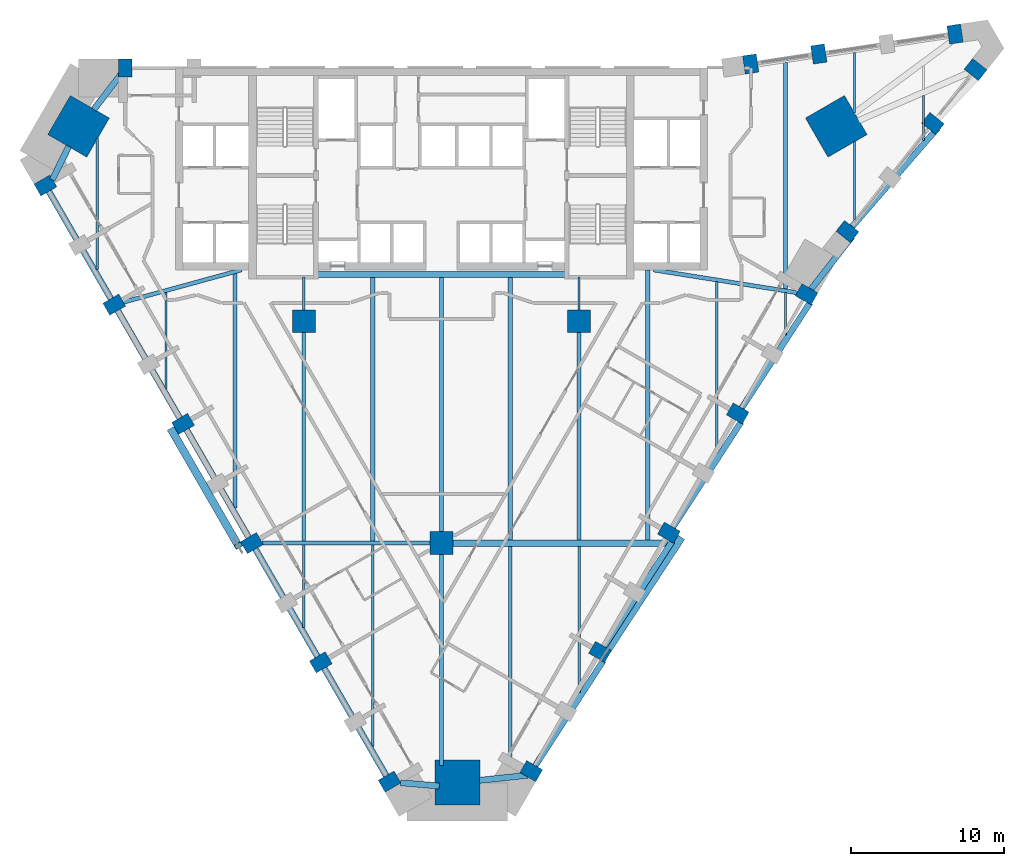
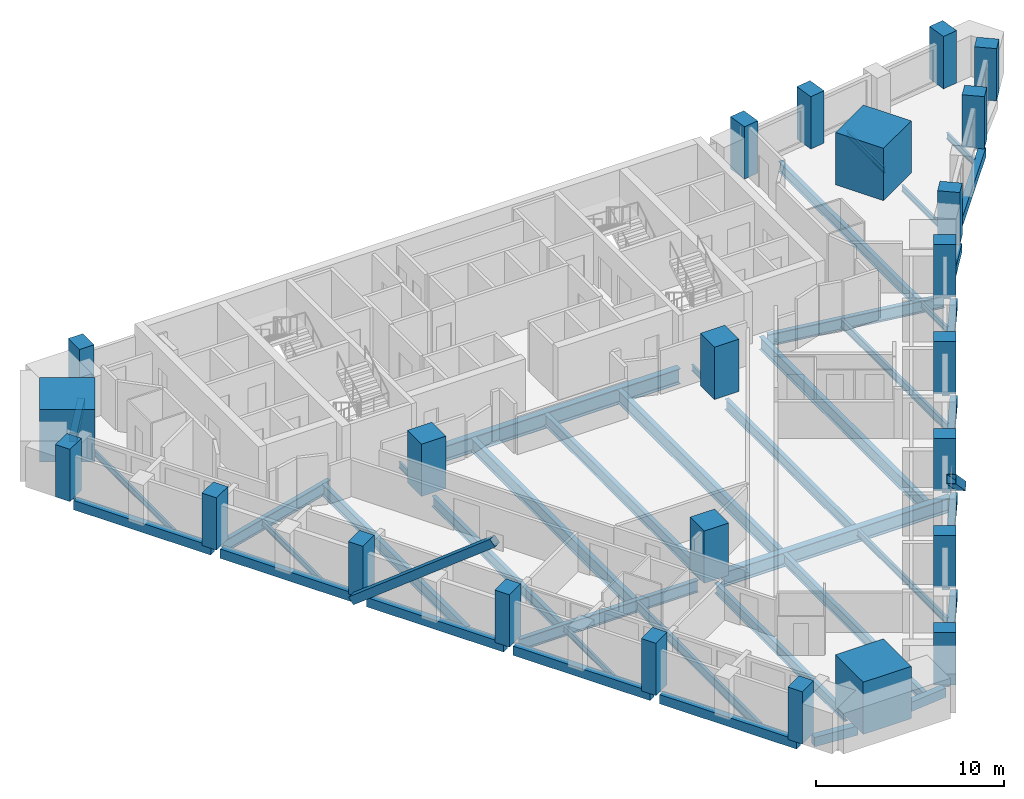
# One storey, part 1 of 10: 42 beams, 24 columns, 2 members.
"""IFC4 building model written with IfcOpenShell, lengths in metres."""

from ifc_helpers import new_model, si_unit, direction, frame, origin, origin_2d, place, context, subcontext, project, spatial, rectangle, hollow_rectangle, i_section, extrude, material, material_profile, profile_set, type_object, element, save


model = new_model("IFC4")

# Units and contexts
model_context = context("Model", 3, precision=1e-05, world=origin(), true_north=direction((0.0, 1.0)))
body_context = subcontext(model_context, "Body", "Model", "MODEL_VIEW")
ifc_project = project(units=[si_unit("LENGTHUNIT", "METRE"), si_unit("AREAUNIT", "SQUARE_METRE"), si_unit("VOLUMEUNIT", "CUBIC_METRE"), si_unit("PLANEANGLEUNIT", "RADIAN"), si_unit("MASSUNIT", "GRAM", prefix="KILO")], contexts=[model_context])

# Site, building, storey
site_placement = place(None, origin())
site = spatial("IfcSite", under=ifc_project, at=site_placement, CompositionType="ELEMENT")
building_placement = place(site_placement, origin())
building = spatial("IfcBuilding", under=site, at=building_placement, Name="Calabash Gate Tower", CompositionType="ELEMENT")
storey_placement = place(building_placement, frame((0.0, 0.0, 105.39990234375)))
storey = spatial("IfcBuildingStorey", under=building, at=storey_placement, Name="L23", CompositionType="ELEMENT", Elevation=105.39990234375)

# Columns
ifc_material_1 = material(Name="Concrete C80/95", Category="concrete")
ifc_material_profile_1 = material_profile(ifc_material_1, rectangle(XDim=1.5, YDim=1.5, at=origin_2d()))
ifc_profile_set_1 = profile_set([ifc_material_profile_1], Name="Concrete C80/95")
column_type_1 = type_object("IfcColumnType", Name="Interior column RC 1500x1500 Concrete C80/95", PredefinedType="COLUMN", material=ifc_profile_set_1)
for number, where, z_axis, x_axis, name in (
    (1, (-9.0, 2.5, 0.0), (0.0, 0.0, 1.0), (1.0, 0.0, 0.0), "Interior column L23 I0"),
    (2, (9.0, 2.5, 0.0), (0.0, 0.0, 1.0), (1.0, 0.0, 0.0), "Interior column L23 I1"),
    (3, (0.0, -12.0, 0.0), (0.0, 0.0, 1.0), (1.0, 0.0, 0.0), "Interior column L23 I2"),
):
    element("IfcColumn", number, at=place(storey_placement, frame(where, z_axis=z_axis, x_axis=x_axis)), inside=storey, type_object=column_type_1, Name=name, PredefinedType="COLUMN", context=body_context, shape_type="SweptSolid", body=[
        extrude(rectangle(XDim=1.5, YDim=1.5, at=origin_2d()), origin(), (0.0, 0.0, 1.0), 3.400146484375),
    ])
ifc_material_2 = material(Name="Concrete C80/95", Category="concrete")
ifc_material_profile_2 = material_profile(ifc_material_2, rectangle(XDim=2.949951171875, YDim=2.949951171875, at=origin_2d()))
ifc_profile_set_2 = profile_set([ifc_material_profile_2], Name="Concrete C80/95")
column_type_2 = type_object("IfcColumnType", Name="Mega column RC 2950x2950 Concrete C80/95", PredefinedType="COLUMN", material=ifc_profile_set_2)
for number, where, z_axis, x_axis, name in (
    (4, (-23.72412109375, 15.243896484375, 0.0), (0.0, 0.0, 1.0), (0.866025403784, -0.5, 0.0), "Mega column L23 NW"),
    (5, (25.806884765625, 15.243896484375, 0.0), (0.0, 0.0, 1.0), (-0.866025403784, -0.5, 0.0), "Mega column L23 NE"),
    (6, (1.041015625, -27.65087890625, 0.0), (0.0, 0.0, 1.0), (0.0, 1.0, 0.0), "Mega column L23 S"),
):
    element("IfcColumn", number, at=place(storey_placement, frame(where, z_axis=z_axis, x_axis=x_axis)), inside=storey, type_object=column_type_2, Name=name, PredefinedType="COLUMN", context=body_context, shape_type="SweptSolid", body=[
        extrude(rectangle(XDim=2.949951171875, YDim=2.949951171875, at=origin_2d()), origin(), (0.0, 0.0, 1.0), 3.400146484375),
    ])
ifc_material_3 = material(Name="Concrete C70/85", Category="concrete")
ifc_material_profile_3 = material_profile(ifc_material_3, rectangle(XDim=0.89990234375, YDim=1.199951171875, at=origin_2d()))
ifc_profile_set_3 = profile_set([ifc_material_profile_3], Name="Concrete C70/85")
column_type_3 = type_object("IfcColumnType", Name="Perimeter column RC 900x1200 Concrete C70/85", PredefinedType="COLUMN", material=ifc_profile_set_3)
for number, where, z_axis, x_axis, name in (
    (7, (-25.889892578125, 11.3779296875, 0.0), (0.0, 0.0, 1.0), (0.5, -0.866025403784, 0.0), "Perimeter column L23 P20"),
    (8, (-21.389892578125, 3.5830078125, 0.0), (0.0, 0.0, 1.0), (0.5, -0.866025403784, 0.0), "Perimeter column L23 P00"),
    (9, (-16.889892578125, -4.2109375, 0.0), (0.0, 0.0, 1.0), (0.5, -0.866025403784, 0.0), "Perimeter column L23 P01"),
    (10, (-12.389892578125, -12.0029296875, 0.0), (0.0, 0.0, 1.0), (0.5, -0.866025403784, 0.0), "Perimeter column L23 P02"),
    (11, (-7.889892578125, -19.799072265625, 0.0), (0.0, 0.0, 1.0), (0.5, -0.866025403784, 0.0), "Perimeter column L23 P03"),
    (12, (-3.389892578125, -27.593017578125, 0.0), (0.0, 0.0, 1.0), (0.5, -0.866025403784, 0.0), "Perimeter column L23 P05"),
    (13, (5.866943359375, -26.908935546875, 0.0), (0.0, 0.0, 1.0), (0.5, 0.866025403784, 0.0), "Perimeter column L23 P08"),
    (14, (10.366943359375, -19.113037109375, 0.0), (0.0, 0.0, 1.0), (0.5, 0.866025403784, 0.0), "Perimeter column L23 P09"),
    (15, (14.866943359375, -11.321044921875, 0.0), (0.0, 0.0, 1.0), (0.5, 0.866025403784, 0.0), "Perimeter column L23 P10"),
    (16, (19.366943359375, -3.527099609375, 0.0), (0.0, 0.0, 1.0), (0.5, 0.866025403784, 0.0), "Perimeter column L23 P11"),
    (17, (23.866943359375, 4.26708984375, 0.0), (0.0, 0.0, 1.0), (0.5, 0.866025403784, 0.0), "Perimeter column L23 P12"),
    (18, (26.5400390625, 8.366943359375, 0.0), (0.0, 0.0, 1.0), (0.620301172202, 0.784363726701, 0.0), "Perimeter column L23 P13"),
    (19, (32.1220703125, 15.424072265625, 0.0), (0.0, 0.0, 1.0), (0.620301172202, 0.784363726701, 0.0), "Perimeter column L23 P21"),
    (20, (34.9140625, 18.9541015625, 0.0), (0.0, 0.0, 1.0), (0.620301172202, 0.784363726701, 0.0), "Perimeter column L23 P22"),
    (21, (33.572998046875, 21.27587890625, 0.0), (0.0, 0.0, 1.0), (-0.989429504293, -0.145014675236, 0.0), "Perimeter column L23 P23"),
    (22, (24.66796875, 19.970947265625, 0.0), (0.0, 0.0, 1.0), (-0.989429504293, -0.145014675236, 0.0), "Perimeter column L23 P16"),
    (23, (20.216064453125, 19.318115234375, 0.0), (0.0, 0.0, 1.0), (-0.989429504293, -0.145014675236, 0.0), "Perimeter column L23 P24"),
    (24, (-20.6689453125, 19.052978515625, 0.0), (0.0, 0.0, 1.0), (-1.0, 0.0, 0.0), "Perimeter column L23 P17"),
):
    element("IfcColumn", number, at=place(storey_placement, frame(where, z_axis=z_axis, x_axis=x_axis)), inside=storey, type_object=column_type_3, Name=name, PredefinedType="COLUMN", context=body_context, shape_type="SweptSolid", body=[
        extrude(rectangle(XDim=0.89990234375, YDim=1.199951171875, at=origin_2d()), origin(), (0.0, 0.0, 1.0), 3.400146484375),
    ])

# Beams
ifc_material_4 = material(Name="Concrete C60/75", Category="concrete")
ifc_material_profile_4 = material_profile(ifc_material_4, rectangle(XDim=0.39990234375, YDim=0.60009765625, at=origin_2d()))
ifc_profile_set_4 = profile_set([ifc_material_profile_4], Name="Concrete C60/75")
beam_type_1 = type_object("IfcBeamType", Name="Edge beam RC 400x600 Concrete C60/75", PredefinedType="BEAM", material=ifc_profile_set_4)
beam_1_placement = place(storey_placement, frame((-16.672119140625, -4.589111328125, -0.469970703125), z_axis=(0.500175705322, -0.865923936501, 0.0), x_axis=(0.865923936501, 0.500175705322, 0.0)))
element("IfcBeam", 25, at=beam_1_placement, inside=storey, type_object=beam_type_1, Name="Edge beam L23 1", PredefinedType="BEAM", context=body_context, shape_type="SweptSolid", body=[
    extrude(rectangle(XDim=0.39990234375, YDim=0.60009765625, at=origin_2d()), origin(), (0.0, 0.0, 1.0), 8.42333984375),
])
beam_2_placement = place(storey_placement, frame((-12.172119140625, -12.383056640625, -0.469970703125), z_axis=(0.500025102917, -0.866010910123, 0.0), x_axis=(0.866010910123, 0.500025102917, 0.0)))
element("IfcBeam", 26, at=beam_2_placement, inside=storey, type_object=beam_type_1, Name="Edge beam L23 2", PredefinedType="BEAM", context=body_context, shape_type="SweptSolid", body=[
    extrude(rectangle(XDim=0.39990234375, YDim=0.60009765625, at=origin_2d()), origin(), (0.0, 0.0, 1.0), 8.42578125),
])
beam_3_placement = place(storey_placement, frame((-7.672119140625, -20.177001953125, -0.469970703125), z_axis=(0.500012556128, -0.866018154379, 0.0), x_axis=(0.866018154379, 0.500012556128, 0.0)))
element("IfcBeam", 27, at=beam_3_placement, inside=storey, type_object=beam_type_1, Name="Edge beam L23 3", PredefinedType="BEAM", context=body_context, shape_type="SweptSolid", body=[
    extrude(rectangle(XDim=0.39990234375, YDim=0.60009765625, at=origin_2d()), origin(), (0.0, 0.0, 1.0), 8.426025390625),
])
beam_4_placement = place(storey_placement, frame((-2.673095703125, -27.6669921875, -0.469970703125), z_axis=(0.996373247491, -0.085090256106, 0.0), x_axis=(0.085090256106, 0.996373247491, 0.0)))
element("IfcBeam", 28, at=beam_4_placement, inside=storey, type_object=beam_type_1, Name="Edge beam L23 4", PredefinedType="BEAM", context=body_context, shape_type="SweptSolid", body=[
    extrude(rectangle(XDim=0.39990234375, YDim=0.60009765625, at=origin_2d()), origin(), (0.0, 0.0, 1.0), 2.539306640625),
])
beam_5_placement = place(storey_placement, frame((2.489990234375, -27.512939453125, -0.469970703125), z_axis=(0.99429686812, 0.106647728743, 0.0), x_axis=(-0.106647728743, 0.99429686812, 0.0)))
element("IfcBeam", 29, at=beam_5_placement, inside=storey, type_object=beam_type_1, Name="Edge beam L23 5", PredefinedType="BEAM", context=body_context, shape_type="SweptSolid", body=[
    extrude(rectangle(XDim=0.39990234375, YDim=0.60009765625, at=origin_2d()), origin(), (0.0, 0.0, 1.0), 3.1591796875),
])
beam_6_placement = place(storey_placement, frame((6.1259765625, -26.55810546875, -0.469970703125), z_axis=(0.543664298649, 0.839302764427, 0.0), x_axis=(-0.839302764427, 0.543664298649, 0.0)))
element("IfcBeam", 30, at=beam_6_placement, inside=storey, type_object=beam_type_1, Name="Edge beam L23 6", PredefinedType="BEAM", context=body_context, shape_type="SweptSolid", body=[
    extrude(rectangle(XDim=0.39990234375, YDim=0.60009765625, at=origin_2d()), origin(), (0.0, 0.0, 1.0), 8.20947265625),
])
beam_7_placement = place(storey_placement, frame((10.6259765625, -18.763916015625, -0.469970703125), z_axis=(0.543677868932, 0.839293974024, 0.0), x_axis=(-0.839293974024, 0.543677868932, 0.0)))
element("IfcBeam", 31, at=beam_7_placement, inside=storey, type_object=beam_type_1, Name="Edge beam L23 7", PredefinedType="BEAM", context=body_context, shape_type="SweptSolid", body=[
    extrude(rectangle(XDim=0.39990234375, YDim=0.60009765625, at=origin_2d()), origin(), (0.0, 0.0, 1.0), 8.209228515625),
])
beam_8_placement = place(storey_placement, frame((15.1259765625, -10.968994140625, -0.469970703125), z_axis=(0.543732155417, 0.839258805831, 0.0), x_axis=(-0.839258805831, 0.543732155417, 0.0)))
element("IfcBeam", 32, at=beam_8_placement, inside=storey, type_object=beam_type_1, Name="Edge beam L23 8", PredefinedType="BEAM", context=body_context, shape_type="SweptSolid", body=[
    extrude(rectangle(XDim=0.39990234375, YDim=0.60009765625, at=origin_2d()), origin(), (0.0, 0.0, 1.0), 8.208251953125),
])
beam_9_placement = place(storey_placement, frame((19.6259765625, -3.173095703125, -0.469970703125), z_axis=(0.543827177379, 0.839197236139, 0.0), x_axis=(-0.839197236139, 0.543827177379, 0.0)))
element("IfcBeam", 33, at=beam_9_placement, inside=storey, type_object=beam_type_1, Name="Edge beam L23 9", PredefinedType="BEAM", context=body_context, shape_type="SweptSolid", body=[
    extrude(rectangle(XDim=0.39990234375, YDim=0.60009765625, at=origin_2d()), origin(), (0.0, 0.0, 1.0), 8.206787109375),
])
beam_10_placement = place(storey_placement, frame((24.159912109375, 4.60009765625, -0.469970703125), z_axis=(0.616370009033, 0.787456673072, 0.0), x_axis=(-0.787456673072, 0.616370009033, 0.0)))
element("IfcBeam", 34, at=beam_10_placement, inside=storey, type_object=beam_type_1, Name="Edge beam L23 10", PredefinedType="BEAM", context=body_context, shape_type="SweptSolid", body=[
    extrude(rectangle(XDim=0.39990234375, YDim=0.60009765625, at=origin_2d()), origin(), (0.0, 0.0, 1.0), 4.370849609375),
])
beam_11_placement = place(storey_placement, frame((26.83203125, 8.66796875, -0.469970703125), z_axis=(0.655025203749, 0.755607029119, 0.0), x_axis=(-0.755607029119, 0.655025203749, 0.0)))
element("IfcBeam", 35, at=beam_11_placement, inside=storey, type_object=beam_type_1, Name="Edge beam L23 11", PredefinedType="BEAM", context=body_context, shape_type="SweptSolid", body=[
    extrude(rectangle(XDim=0.39990234375, YDim=0.60009765625, at=origin_2d()), origin(), (0.0, 0.0, 1.0), 8.54150390625),
])
beam_12_placement = place(storey_placement, frame((-20.738037109375, 18.93896484375, -0.469970703125), z_axis=(-0.607056715402, -0.794658507968, 0.0), x_axis=(0.794658507968, -0.607056715402, 0.0)))
element("IfcBeam", 36, at=beam_12_placement, inside=storey, type_object=beam_type_1, Name="Edge beam L23 17", PredefinedType="BEAM", context=body_context, shape_type="SweptSolid", body=[
    extrude(rectangle(XDim=0.39990234375, YDim=0.60009765625, at=origin_2d()), origin(), (0.0, 0.0, 1.0), 3.271728515625),
])
beam_13_placement = place(storey_placement, frame((-24.365966796875, 13.930908203125, -0.469970703125), z_axis=(-0.442832113962, -0.896604549868, 0.0), x_axis=(0.896604549868, -0.442832113962, 0.0)))
element("IfcBeam", 37, at=beam_13_placement, inside=storey, type_object=beam_type_1, Name="Edge beam L23 18", PredefinedType="BEAM", context=body_context, shape_type="SweptSolid", body=[
    extrude(rectangle(XDim=0.39990234375, YDim=0.60009765625, at=origin_2d()), origin(), (0.0, 0.0, 1.0), 2.432373046875),
])
for number, where, z_axis, x_axis, name in (
    (38, (-25.672119140625, 11.0, -0.469970703125), (0.500012556128, -0.866018154379, 0.0), (0.866018154379, 0.500012556128, 0.0), "Edge beam L23 19"),
    (39, (-21.172119140625, 3.2060546875, -0.469970703125), (0.500012556128, -0.866018154379, 0.0), (0.866018154379, 0.500012556128, 0.0), "Edge beam L23 20"),
):
    element("IfcBeam", number, at=place(storey_placement, frame(where, z_axis=z_axis, x_axis=x_axis)), inside=storey, type_object=beam_type_1, Name=name, PredefinedType="BEAM", context=body_context, shape_type="SweptSolid", body=[
        extrude(rectangle(XDim=0.39990234375, YDim=0.60009765625, at=origin_2d()), origin(), (0.0, 0.0, 1.0), 8.426025390625),
    ])
ifc_material_5 = material(Name="Steel ASTM A992 Gr50", Category="steel")
ifc_material_profile_5 = material_profile(ifc_material_5, i_section(OverallWidth=0.1396484375, OverallDepth=0.398681640625, WebThickness=0.00634765625, FlangeThickness=0.0087890625, FilletRadius=0.01025390625, at=origin_2d()))
ifc_profile_set_5 = profile_set([ifc_material_profile_5], Name="Steel ASTM A992 Gr50")
beam_type_2 = type_object("IfcBeamType", Name="Floor beam W16x26 ASTM A992 Gr50", PredefinedType="BEAM", material=ifc_profile_set_5)
beam_14_placement = place(storey_placement, frame((-22.5, 5.8740234375, -0.368896484375), z_axis=(0.0, 1.0, 0.0), x_axis=(-1.0, 0.0, 0.0)))
element("IfcBeam", 40, at=beam_14_placement, inside=storey, type_object=beam_type_2, Name="Floor beam L23 1", PredefinedType="BEAM", context=body_context, shape_type="SweptSolid", body=[
    extrude(i_section(OverallWidth=0.1396484375, OverallDepth=0.398681640625, WebThickness=0.00634765625, FlangeThickness=0.0087890625, FilletRadius=0.01025390625, at=origin_2d()), origin(), (0.0, 0.0, 1.0), 8.56787109375),
])
beam_15_placement = place(storey_placement, frame((-18.0, -1.919921875, -0.368896484375), z_axis=(0.0, 1.0, 0.0), x_axis=(-1.0, 0.0, 0.0)))
element("IfcBeam", 41, at=beam_15_placement, inside=storey, type_object=beam_type_2, Name="Floor beam L23 2", PredefinedType="BEAM", context=body_context, shape_type="SweptSolid", body=[
    extrude(i_section(OverallWidth=0.1396484375, OverallDepth=0.398681640625, WebThickness=0.00634765625, FlangeThickness=0.0087890625, FilletRadius=0.01025390625, at=origin_2d()), origin(), (0.0, 0.0, 1.0), 6.31689453125),
])
beam_16_placement = place(storey_placement, frame((-9.0, -17.508056640625, -0.368896484375), z_axis=(0.0, 1.0, 0.0), x_axis=(-1.0, 0.0, 0.0)))
element("IfcBeam", 42, at=beam_16_placement, inside=storey, type_object=beam_type_2, Name="Floor beam L23 4", PredefinedType="BEAM", context=body_context, shape_type="SweptSolid", body=[
    extrude(i_section(OverallWidth=0.1396484375, OverallDepth=0.398681640625, WebThickness=0.00634765625, FlangeThickness=0.0087890625, FilletRadius=0.01025390625, at=origin_2d()), origin(), (0.0, 0.0, 1.0), 5.375),
])
for number, where, z_axis, x_axis, name in (
    (43, (-9.0, 3.25, -0.368896484375), (0.0, 1.0, 0.0), (-1.0, 0.0, 0.0), "Floor beam L23 6"),
    (44, (9.0, 3.25, -0.368896484375), (0.0, 1.0, 0.0), (-1.0, 0.0, 0.0), "Floor beam L23 15"),
):
    element("IfcBeam", number, at=place(storey_placement, frame(where, z_axis=z_axis, x_axis=x_axis)), inside=storey, type_object=beam_type_2, Name=name, PredefinedType="BEAM", context=body_context, shape_type="SweptSolid", body=[
        extrude(i_section(OverallWidth=0.1396484375, OverallDepth=0.398681640625, WebThickness=0.00634765625, FlangeThickness=0.0087890625, FilletRadius=0.01025390625, at=origin_2d()), origin(), (0.0, 0.0, 1.0), 2.153076171875),
    ])
beam_17_placement = place(storey_placement, frame((22.5, 1.60693359375, -0.368896484375), z_axis=(0.0, 1.0, 0.0), x_axis=(-1.0, 0.0, 0.0)))
element("IfcBeam", 45, at=beam_17_placement, inside=storey, type_object=beam_type_2, Name="Floor beam L23 18", PredefinedType="BEAM", context=body_context, shape_type="SweptSolid", body=[
    extrude(i_section(OverallWidth=0.1396484375, OverallDepth=0.398681640625, WebThickness=0.00634765625, FlangeThickness=0.0087890625, FilletRadius=0.01025390625, at=origin_2d()), origin(), (0.0, 0.0, 1.0), 2.775146484375),
])
beam_18_placement = place(storey_placement, frame((27.0, 9.139892578125, -0.368896484375), z_axis=(0.0, 1.0, 0.0), x_axis=(-1.0, 0.0, 0.0)))
element("IfcBeam", 46, at=beam_18_placement, inside=storey, type_object=beam_type_2, Name="Floor beam L23 20", PredefinedType="BEAM", context=body_context, shape_type="SweptSolid", body=[
    extrude(i_section(OverallWidth=0.1396484375, OverallDepth=0.398681640625, WebThickness=0.00634765625, FlangeThickness=0.0087890625, FilletRadius=0.01025390625, at=origin_2d()), origin(), (0.0, 0.0, 1.0), 5.108154296875),
])
beam_19_placement = place(storey_placement, frame((27.0, 16.10400390625, -0.368896484375), z_axis=(0.0, 1.0, 0.0), x_axis=(-1.0, 0.0, 0.0)))
element("IfcBeam", 47, at=beam_19_placement, inside=storey, type_object=beam_type_2, Name="Floor beam L23 21", PredefinedType="BEAM", context=body_context, shape_type="SweptSolid", body=[
    extrude(i_section(OverallWidth=0.1396484375, OverallDepth=0.398681640625, WebThickness=0.00634765625, FlangeThickness=0.0087890625, FilletRadius=0.01025390625, at=origin_2d()), origin(), (0.0, 0.0, 1.0), 3.97607421875),
])
beam_20_placement = place(storey_placement, frame((31.5, 14.3330078125, -0.368896484375), z_axis=(0.0, 1.0, 0.0), x_axis=(-1.0, 0.0, 0.0)))
element("IfcBeam", 48, at=beam_20_placement, inside=storey, type_object=beam_type_2, Name="Floor beam L23 22", PredefinedType="BEAM", context=body_context, shape_type="SweptSolid", body=[
    extrude(i_section(OverallWidth=0.1396484375, OverallDepth=0.398681640625, WebThickness=0.00634765625, FlangeThickness=0.0087890625, FilletRadius=0.01025390625, at=origin_2d()), origin(), (0.0, 0.0, 1.0), 2.927978515625),
])
ifc_material_6 = material(Name="Steel ASTM A992 Gr50", Category="steel")
ifc_material_profile_6 = material_profile(ifc_material_6, i_section(OverallWidth=0.15234375, OverallDepth=0.44970703125, WebThickness=0.007568359375, FlangeThickness=0.0107421875, FilletRadius=0.01025390625, at=origin_2d()))
ifc_profile_set_6 = profile_set([ifc_material_profile_6], Name="Steel ASTM A992 Gr50")
beam_type_3 = type_object("IfcBeamType", Name="Floor beam W18x35 ASTM A992 Gr50", PredefinedType="BEAM", material=ifc_profile_set_6)
beam_21_placement = place(storey_placement, frame((9.0, -21.77294921875, -0.392822265625), z_axis=(0.0, 1.0, 0.0), x_axis=(-1.0, 0.0, 0.0)))
element("IfcBeam", 49, at=beam_21_placement, inside=storey, type_object=beam_type_3, Name="Floor beam L23 13", PredefinedType="BEAM", context=body_context, shape_type="SweptSolid", body=[
    extrude(i_section(OverallWidth=0.15234375, OverallDepth=0.44970703125, WebThickness=0.007568359375, FlangeThickness=0.0107421875, FilletRadius=0.01025390625, at=origin_2d()), origin(), (0.0, 0.0, 1.0), 9.56298828125),
])
ifc_material_7 = material(Name="Steel ASTM A992 Gr50", Category="steel")
ifc_material_profile_7 = material_profile(ifc_material_7, i_section(OverallWidth=0.166015625, OverallDepth=0.5283203125, WebThickness=0.009765625, FlangeThickness=0.013671875, FilletRadius=0.0126953125, at=origin_2d()))
ifc_profile_set_7 = profile_set([ifc_material_profile_7], Name="Steel ASTM A992 Gr50")
beam_type_4 = type_object("IfcBeamType", Name="Floor beam W21x50 ASTM A992 Gr50", PredefinedType="BEAM", material=ifc_profile_set_7)
beam_22_placement = place(storey_placement, frame((18.0, -6.18701171875, -0.433837890625), z_axis=(0.0, 1.0, 0.0), x_axis=(-1.0, 0.0, 0.0)))
element("IfcBeam", 50, at=beam_22_placement, inside=storey, type_object=beam_type_4, Name="Floor beam L23 17", PredefinedType="BEAM", context=body_context, shape_type="SweptSolid", body=[
    extrude(i_section(OverallWidth=0.166015625, OverallDepth=0.5283203125, WebThickness=0.009765625, FlangeThickness=0.013671875, FilletRadius=0.0126953125, at=origin_2d()), origin(), (0.0, 0.0, 1.0), 11.282958984375),
])
ifc_material_8 = material(Name="Steel ASTM A992 Gr50", Category="steel")
ifc_material_profile_8 = material_profile(ifc_material_8, i_section(OverallWidth=0.1787109375, OverallDepth=0.60205078125, WebThickness=0.010986328125, FlangeThickness=0.014892578125, FilletRadius=0.0126953125, at=origin_2d()))
ifc_profile_set_8 = profile_set([ifc_material_profile_8], Name="Steel ASTM A992 Gr50")
beam_type_5 = type_object("IfcBeamType", Name="Floor beam W24x62 ASTM A992 Gr50", PredefinedType="BEAM", material=ifc_profile_set_8)
beam_23_placement = place(storey_placement, frame((-4.5, -25.302978515625, -0.470947265625), z_axis=(0.0, 1.0, 0.0), x_axis=(-1.0, 0.0, 0.0)))
element("IfcBeam", 51, at=beam_23_placement, inside=storey, type_object=beam_type_5, Name="Floor beam L23 7", PredefinedType="BEAM", context=body_context, shape_type="SweptSolid", body=[
    extrude(i_section(OverallWidth=0.1787109375, OverallDepth=0.60205078125, WebThickness=0.010986328125, FlangeThickness=0.014892578125, FilletRadius=0.0126953125, at=origin_2d()), origin(), (0.0, 0.0, 1.0), 13.169921875),
])
ifc_material_9 = material(Name="Steel ASTM A992 Gr50", Category="steel")
ifc_material_profile_9 = material_profile(ifc_material_9, i_section(OverallWidth=0.25390625, OverallDepth=0.67822265625, WebThickness=0.01171875, FlangeThickness=0.016357421875, FilletRadius=0.01513671875, at=origin_2d()))
ifc_profile_set_9 = profile_set([ifc_material_profile_9], Name="Steel ASTM A992 Gr50")
beam_type_6 = type_object("IfcBeamType", Name="Floor beam W27x84 ASTM A992 Gr50", PredefinedType="BEAM", material=ifc_profile_set_9)
beam_24_placement = place(storey_placement, frame((-9.0, -11.866943359375, -0.5087890625), z_axis=(0.0, 1.0, 0.0), x_axis=(-1.0, 0.0, 0.0)))
element("IfcBeam", 52, at=beam_24_placement, inside=storey, type_object=beam_type_6, Name="Floor beam L23 5", PredefinedType="BEAM", context=body_context, shape_type="SweptSolid", body=[
    extrude(i_section(OverallWidth=0.25390625, OverallDepth=0.67822265625, WebThickness=0.01171875, FlangeThickness=0.016357421875, FilletRadius=0.01513671875, at=origin_2d()), origin(), (0.0, 0.0, 1.0), 13.616943359375),
])
beam_25_placement = place(storey_placement, frame((0.0, -26.548095703125, -0.5087890625), z_axis=(0.0, 1.0, 0.0), x_axis=(-1.0, 0.0, 0.0)))
element("IfcBeam", 53, at=beam_25_placement, inside=storey, type_object=beam_type_6, Name="Floor beam L23 9", PredefinedType="BEAM", context=body_context, shape_type="SweptSolid", body=[
    extrude(i_section(OverallWidth=0.25390625, OverallDepth=0.67822265625, WebThickness=0.01171875, FlangeThickness=0.016357421875, FilletRadius=0.01513671875, at=origin_2d()), origin(), (0.0, 0.0, 1.0), 13.798095703125),
])
beam_26_placement = place(storey_placement, frame((4.5, -27.118896484375, -0.5087890625), z_axis=(0.0, 1.0, 0.0), x_axis=(-1.0, 0.0, 0.0)))
element("IfcBeam", 54, at=beam_26_placement, inside=storey, type_object=beam_type_6, Name="Floor beam L23 11", PredefinedType="BEAM", context=body_context, shape_type="SweptSolid", body=[
    extrude(i_section(OverallWidth=0.25390625, OverallDepth=0.67822265625, WebThickness=0.01171875, FlangeThickness=0.016357421875, FilletRadius=0.01513671875, at=origin_2d()), origin(), (0.0, 0.0, 1.0), 14.908935546875),
])
beam_27_placement = place(storey_placement, frame((9.0, -11.7900390625, -0.5087890625), z_axis=(0.0, 1.0, 0.0), x_axis=(-1.0, 0.0, 0.0)))
element("IfcBeam", 55, at=beam_27_placement, inside=storey, type_object=beam_type_6, Name="Floor beam L23 14", PredefinedType="BEAM", context=body_context, shape_type="SweptSolid", body=[
    extrude(i_section(OverallWidth=0.25390625, OverallDepth=0.67822265625, WebThickness=0.01171875, FlangeThickness=0.016357421875, FilletRadius=0.01513671875, at=origin_2d()), origin(), (0.0, 0.0, 1.0), 13.5400390625),
])
beam_28_placement = place(storey_placement, frame((22.5, 4.587890625, -0.5087890625), z_axis=(0.0, 1.0, 0.0), x_axis=(-1.0, 0.0, 0.0)))
element("IfcBeam", 56, at=beam_28_placement, inside=storey, type_object=beam_type_6, Name="Floor beam L23 19", PredefinedType="BEAM", context=body_context, shape_type="SweptSolid", body=[
    extrude(i_section(OverallWidth=0.25390625, OverallDepth=0.67822265625, WebThickness=0.01171875, FlangeThickness=0.016357421875, FilletRadius=0.01513671875, at=origin_2d()), origin(), (0.0, 0.0, 1.0), 14.8330078125),
])
ifc_material_10 = material(Name="Steel ASTM A992 Gr50", Category="steel")
ifc_material_profile_10 = material_profile(ifc_material_10, i_section(OverallWidth=0.2666015625, OverallDepth=0.7568359375, WebThickness=0.013916015625, FlangeThickness=0.019287109375, FilletRadius=0.0166015625, at=origin_2d()))
ifc_profile_set_10 = profile_set([ifc_material_profile_10], Name="Steel ASTM A992 Gr50")
beam_type_7 = type_object("IfcBeamType", Name="Floor beam W30x108 ASTM A992 Gr50", PredefinedType="BEAM", material=ifc_profile_set_10)
beam_29_placement = place(storey_placement, frame((-13.5, -9.714111328125, -0.5478515625), z_axis=(0.0, 1.0, 0.0), x_axis=(-1.0, 0.0, 0.0)))
element("IfcBeam", 57, at=beam_29_placement, inside=storey, type_object=beam_type_7, Name="Floor beam L23 3", PredefinedType="BEAM", context=body_context, shape_type="SweptSolid", body=[
    extrude(i_section(OverallWidth=0.2666015625, OverallDepth=0.7568359375, WebThickness=0.013916015625, FlangeThickness=0.019287109375, FilletRadius=0.0166015625, at=origin_2d()), origin(), (0.0, 0.0, 1.0), 15.340087890625),
])
beam_30_placement = place(storey_placement, frame((0.0, -11.25, -0.5478515625), z_axis=(0.0, 1.0, 0.0), x_axis=(-1.0, 0.0, 0.0)))
element("IfcBeam", 58, at=beam_30_placement, inside=storey, type_object=beam_type_7, Name="Floor beam L23 10", PredefinedType="BEAM", context=body_context, shape_type="SweptSolid", body=[
    extrude(i_section(OverallWidth=0.2666015625, OverallDepth=0.7568359375, WebThickness=0.013916015625, FlangeThickness=0.019287109375, FilletRadius=0.0166015625, at=origin_2d()), origin(), (0.0, 0.0, 1.0), 16.60205078125),
])
ifc_material_11 = material(Name="Steel ASTM A992 Gr50", Category="steel")
ifc_material_profile_11 = material_profile(ifc_material_11, i_section(OverallWidth=0.2919921875, OverallDepth=0.845703125, WebThickness=0.015380859375, FlangeThickness=0.0244140625, FilletRadius=0.017822265625, at=origin_2d()))
ifc_profile_set_11 = profile_set([ifc_material_profile_11], Name="Steel ASTM A992 Gr50")
beam_type_8 = type_object("IfcBeamType", Name="Floor beam W33x141 ASTM A992 Gr50", PredefinedType="BEAM", material=ifc_profile_set_11)
beam_31_placement = place(storey_placement, frame((-4.5, -11.866943359375, -0.593017578125), z_axis=(0.0, 1.0, 0.0), x_axis=(-1.0, 0.0, 0.0)))
element("IfcBeam", 59, at=beam_31_placement, inside=storey, type_object=beam_type_8, Name="Floor beam L23 8", PredefinedType="BEAM", context=body_context, shape_type="SweptSolid", body=[
    extrude(i_section(OverallWidth=0.2919921875, OverallDepth=0.845703125, WebThickness=0.015380859375, FlangeThickness=0.0244140625, FilletRadius=0.017822265625, at=origin_2d()), origin(), (0.0, 0.0, 1.0), 17.218994140625),
])
beam_32_placement = place(storey_placement, frame((4.5, -11.7900390625, -0.593017578125), z_axis=(0.0, 1.0, 0.0), x_axis=(-1.0, 0.0, 0.0)))
element("IfcBeam", 60, at=beam_32_placement, inside=storey, type_object=beam_type_8, Name="Floor beam L23 12", PredefinedType="BEAM", context=body_context, shape_type="SweptSolid", body=[
    extrude(i_section(OverallWidth=0.2919921875, OverallDepth=0.845703125, WebThickness=0.015380859375, FlangeThickness=0.0244140625, FilletRadius=0.017822265625, at=origin_2d()), origin(), (0.0, 0.0, 1.0), 17.14208984375),
])
beam_33_placement = place(storey_placement, frame((13.5, -11.7900390625, -0.593017578125), z_axis=(0.0, 1.0, 0.0), x_axis=(-1.0, 0.0, 0.0)))
element("IfcBeam", 61, at=beam_33_placement, inside=storey, type_object=beam_type_8, Name="Floor beam L23 16", PredefinedType="BEAM", context=body_context, shape_type="SweptSolid", body=[
    extrude(i_section(OverallWidth=0.2919921875, OverallDepth=0.845703125, WebThickness=0.015380859375, FlangeThickness=0.0244140625, FilletRadius=0.017822265625, at=origin_2d()), origin(), (0.0, 0.0, 1.0), 17.64306640625),
])
ifc_material_12 = material(Name="Steel ASTM A992 Gr50", Category="steel")
ifc_material_profile_12 = material_profile(ifc_material_12, i_section(OverallWidth=0.2666015625, OverallDepth=0.77978515625, WebThickness=0.0166015625, FlangeThickness=0.030029296875, FilletRadius=0.0166015625, at=origin_2d()))
ifc_profile_set_12 = profile_set([ifc_material_profile_12], Name="Steel ASTM A992 Gr50")
beam_type_9 = type_object("IfcBeamType", Name="Girder W30x148 ASTM A992 Gr50", PredefinedType="BEAM", material=ifc_profile_set_12)
beam_34_placement = place(storey_placement, frame((-20.81298828125, 3.740966796875, -0.559814453125), z_axis=(0.964572589979, 0.26381758596, 0.0), x_axis=(-0.26381758596, 0.964572589979, 0.0)))
element("IfcBeam", 62, at=beam_34_placement, inside=storey, type_object=beam_type_9, Name="Girder L23 2", PredefinedType="BEAM", context=body_context, shape_type="SweptSolid", body=[
    extrude(i_section(OverallWidth=0.2666015625, OverallDepth=0.77978515625, WebThickness=0.0166015625, FlangeThickness=0.030029296875, FilletRadius=0.0166015625, at=origin_2d()), origin(), (0.0, 0.0, 1.0), 8.024169921875),
])
beam_35_placement = place(storey_placement, frame((23.806884765625, 4.277099609375, -0.559814453125), z_axis=(-0.987618770921, 0.156873080305, 0.0), x_axis=(-0.156873080305, -0.987618770921, 0.0)))
element("IfcBeam", 63, at=beam_35_placement, inside=storey, type_object=beam_type_9, Name="Girder L23 3", PredefinedType="BEAM", context=body_context, shape_type="SweptSolid", body=[
    extrude(i_section(OverallWidth=0.2666015625, OverallDepth=0.77978515625, WebThickness=0.0166015625, FlangeThickness=0.030029296875, FilletRadius=0.0166015625, at=origin_2d()), origin(), (0.0, 0.0, 1.0), 10.064453125),
])
beam_36_placement = place(storey_placement, frame((-11.73193359375, -12.0, -0.559814453125), z_axis=(1.0, 0.0, 0.0), x_axis=(0.0, 1.0, 0.0)))
element("IfcBeam", 64, at=beam_36_placement, inside=storey, type_object=beam_type_9, Name="Girder L23 4", PredefinedType="BEAM", context=body_context, shape_type="SweptSolid", body=[
    extrude(i_section(OverallWidth=0.2666015625, OverallDepth=0.77978515625, WebThickness=0.0166015625, FlangeThickness=0.030029296875, FilletRadius=0.0166015625, at=origin_2d()), origin(), (0.0, 0.0, 1.0), 10.98193359375),
])
ifc_material_13 = material(Name="Steel ASTM A992 Gr50", Category="steel")
ifc_material_profile_13 = material_profile(ifc_material_13, i_section(OverallWidth=0.419189453125, OverallDepth=0.927001953125, WebThickness=0.019287109375, FlangeThickness=0.031982421875, FilletRadius=0.024169921875, at=origin_2d()))
ifc_profile_set_13 = profile_set([ifc_material_profile_13], Name="Steel ASTM A992 Gr50")
beam_type_10 = type_object("IfcBeamType", Name="Girder W36x231 ASTM A992 Gr50", PredefinedType="BEAM", material=ifc_profile_set_13)
beam_37_placement = place(storey_placement, frame((0.75, -12.0, -0.6337890625), z_axis=(1.0, 0.0, 0.0), x_axis=(0.0, 1.0, 0.0)))
element("IfcBeam", 65, at=beam_37_placement, inside=storey, type_object=beam_type_10, Name="Girder L23 5", PredefinedType="BEAM", context=body_context, shape_type="SweptSolid", body=[
    extrude(i_section(OverallWidth=0.419189453125, OverallDepth=0.927001953125, WebThickness=0.019287109375, FlangeThickness=0.031982421875, FilletRadius=0.024169921875, at=origin_2d()), origin(), (0.0, 0.0, 1.0), 14.037109375),
])
ifc_material_14 = material(Name="Steel ASTM A992 Gr50", Category="steel")
ifc_material_profile_14 = material_profile(ifc_material_14, i_section(OverallWidth=0.4013671875, OverallDepth=1.000732421875, WebThickness=0.01904296875, FlangeThickness=0.0361328125, FilletRadius=0.030029296875, at=origin_2d()))
ifc_profile_set_14 = profile_set([ifc_material_profile_14], Name="Steel ASTM A992 Gr50")
beam_type_11 = type_object("IfcBeamType", Name="Girder W40x249 ASTM A992 Gr50", PredefinedType="BEAM", material=ifc_profile_set_14)
beam_38_placement = place(storey_placement, frame((-8.25, 5.552978515625, -0.669921875), z_axis=(1.0, 0.0, 0.0), x_axis=(0.0, 1.0, 0.0)))
element("IfcBeam", 66, at=beam_38_placement, inside=storey, type_object=beam_type_11, Name="Girder L23 1", PredefinedType="BEAM", context=body_context, shape_type="SweptSolid", body=[
    extrude(i_section(OverallWidth=0.4013671875, OverallDepth=1.000732421875, WebThickness=0.01904296875, FlangeThickness=0.0361328125, FilletRadius=0.030029296875, at=origin_2d()), origin(), (0.0, 0.0, 1.0), 16.5),
])

# Members
ifc_material_15 = material(Name="Steel ASTM A500 Gr C", Category="steel")
ifc_material_profile_15 = material_profile(ifc_material_15, hollow_rectangle(XDim=0.508056640625, YDim=0.508056640625, WallThickness=0.01904296875, at=origin_2d()))
ifc_profile_set_15 = profile_set([ifc_material_profile_15], Name="Steel ASTM A500 Gr C")
member_type = type_object("IfcMemberType", Name="Mega-brace HSS20X20X.750 ASTM A500 Gr C", PredefinedType="BRACE", material=ifc_profile_set_15)
member_1_placement = place(storey_placement, frame((-17.62939453125, -4.6376953125, 0.0), z_axis=(0.393970230325, -0.682379164999, 0.615748433042), x_axis=(0.866026263429, 0.499998511049, 0.0)))
element("IfcMember", 67, at=member_1_placement, inside=storey, type_object=member_type, Name="Mega-brace SW Z2 13", PredefinedType="BRACE", context=body_context, shape_type="SweptSolid", body=[
    extrude(hollow_rectangle(XDim=0.508056640625, YDim=0.508056640625, WallThickness=0.01904296875, at=origin_2d()), origin(), (0.0, 0.0, 1.0), 11.04345703125),
])
member_2_placement = place(storey_placement, frame((15.606689453125, -11.748046875, 0.0), z_axis=(-0.43900615324, -0.669301993518, 0.59942342204), x_axis=(0.836175843019, -0.548461447644, 0.0)))
element("IfcMember", 68, at=member_2_placement, inside=storey, type_object=member_type, Name="Mega-brace SE Z2 18", PredefinedType="BRACE", context=body_context, shape_type="SweptSolid", body=[
    extrude(hollow_rectangle(XDim=0.508056640625, YDim=0.508056640625, WallThickness=0.01904296875, at=origin_2d()), origin(), (0.0, 0.0, 1.0), 11.34423828125),
])

save(model, "model.ifc")
